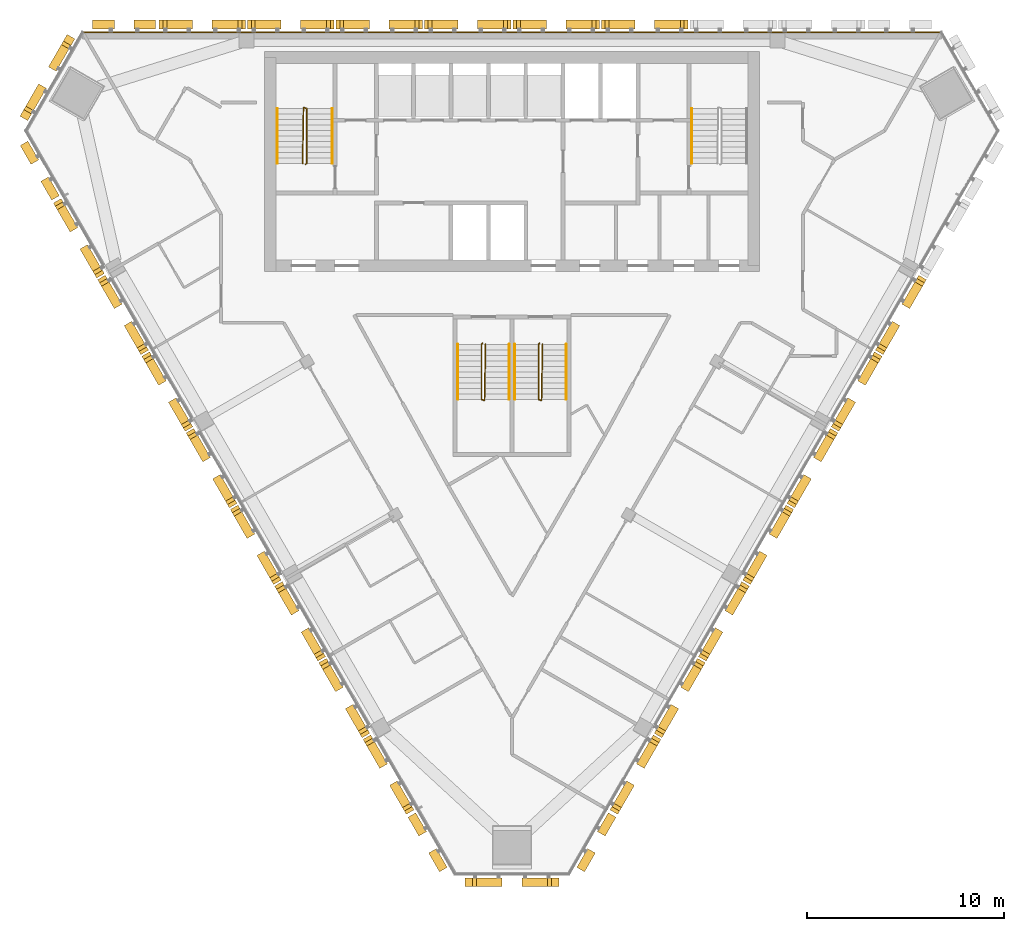
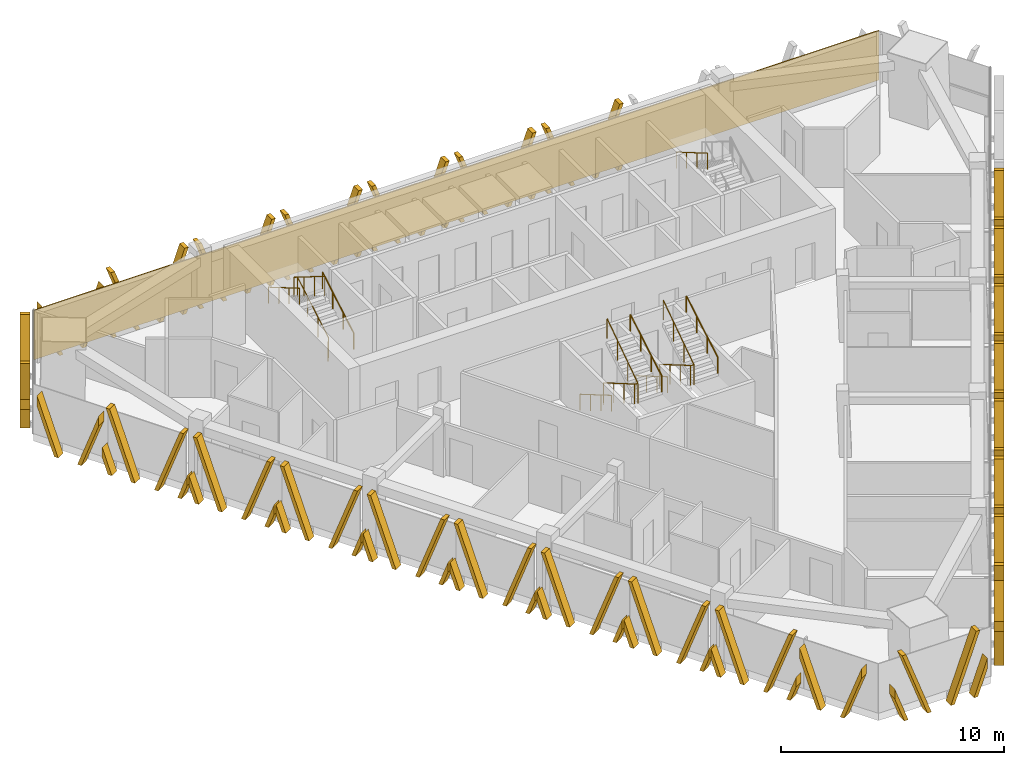
# One storey, part 12 of 14: 27 shading devices, 10 railings, 1 covering.
"""IFC4 building model written with IfcOpenShell, lengths in metres."""

from ifc_helpers import new_model, si_unit, direction, frame, frame_2d, origin, origin_2d, place, context, subcontext, project, spatial, polyline, rectangle, circle, outline, extrude, source, transform, mapped, material, layer, layer_set, type_object, element, save


model = new_model("IFC4")

# Units and contexts
model_context = context("Model", 3, precision=1e-05, world=origin(), true_north=direction((0.0, 1.0)))
body_context = subcontext(model_context, "Body", "Model", "MODEL_VIEW")
ifc_project = project(units=[si_unit("LENGTHUNIT", "METRE"), si_unit("AREAUNIT", "SQUARE_METRE"), si_unit("VOLUMEUNIT", "CUBIC_METRE"), si_unit("PLANEANGLEUNIT", "RADIAN"), si_unit("MASSUNIT", "GRAM", prefix="KILO")], contexts=[model_context])

# Site, building, storey
site_placement = place(None, origin())
site = spatial("IfcSite", under=ifc_project, at=site_placement, CompositionType="ELEMENT")
building_placement = place(site_placement, origin())
building = spatial("IfcBuilding", under=site, at=building_placement, Name="Altiplano Prism Tower", CompositionType="ELEMENT")
storey_placement = place(building_placement, frame((0.0, 0.0, 223.0)))
storey = spatial("IfcBuildingStorey", under=building, at=storey_placement, Name="L57", CompositionType="ELEMENT", Elevation=223.0)

# Railings
ifc_material_1 = material(Name="Steel S355", Category="steel")
railing_type_1 = type_object("IfcRailingType", Name="Stair guard 1100", PredefinedType="GUARDRAIL", material=ifc_material_1)
railing_1_placement = place(storey_placement, frame((74.5, 98.25, 0.0)))
element("IfcRailing", 1, at=railing_1_placement, inside=storey, type_object=railing_type_1, Name="L57 ST1 stair guard 1", PredefinedType="GUARDRAIL", context=body_context, shape_type="SweptSolid", body=[
    extrude(circle(Radius=0.02392578125, at=origin_2d()), frame((0.0, 0.0, 1.076171875), z_axis=(0.280808744504, 0.280808744504, 0.917765164963), x_axis=(-0.707106781187, 0.707106781187, 0.0)), (0.0, 0.0, 1.0), 0.17822265625),
    extrude(circle(Radius=0.02392578125, at=origin_2d()), frame((0.050048828125, 0.050048828125, 1.23974609375), z_axis=(0.0, 0.863360870873, 0.504586966384), x_axis=(-1.0, 0.0, 0.0)), (0.0, 0.0, 1.0), 3.2431640625),
    extrude(circle(Radius=0.02392578125, at=origin_2d()), frame((0.050048828125, 2.85009765625, 2.8759765625), z_axis=(-0.949145278916, 0.314838433982, 0.0), x_axis=(-0.314838433982, -0.949145278916, 0.0)), (0.0, 0.0, 1.0), 0.158203125),
    extrude(circle(Radius=0.02392578125, at=origin_2d()), frame((-0.10009765625, 2.89990234375, 2.8759765625), z_axis=(-0.01477401265, -0.845377694409, 0.533964682676), x_axis=(0.999847325713, -0.01747355902, 0.0)), (0.0, 0.0, 1.0), 3.37109375),
    extrude(circle(Radius=0.02099609375, at=origin_2d()), origin(), (0.0, 0.0, 1.0), 1.052001953125),
    extrude(circle(Radius=0.02099609375, at=origin_2d()), frame((0.050048828125, 0.050048828125, 0.16357421875)), (0.0, 0.0, 1.0), 1.052001953125),
    extrude(circle(Radius=0.02099609375, at=origin_2d()), frame((0.050048828125, 0.9833984375, 0.708984375)), (0.0, 0.0, 1.0), 1.052001953125),
    extrude(circle(Radius=0.02099609375, at=origin_2d()), frame((0.050048828125, 1.916748046875, 1.254638671875)), (0.0, 0.0, 1.0), 1.052001953125),
    extrude(circle(Radius=0.02099609375, at=origin_2d()), frame((0.050048828125, 2.85009765625, 1.800048828125)), (0.0, 0.0, 1.0), 1.052001953125),
    extrude(circle(Radius=0.02099609375, at=origin_2d()), frame((-0.10009765625, 2.89990234375, 1.800048828125)), (0.0, 0.0, 1.0), 1.052001953125),
    extrude(circle(Radius=0.02099609375, at=origin_2d()), frame((-0.11669921875, 1.949951171875, 2.400146484375)), (0.0, 0.0, 1.0), 1.052001953125),
    extrude(circle(Radius=0.02099609375, at=origin_2d()), frame((-0.13330078125, 1.0, 3.0)), (0.0, 0.0, 1.0), 1.052001953125),
    extrude(circle(Radius=0.02099609375, at=origin_2d()), frame((-0.14990234375, 0.050048828125, 3.60009765625)), (0.0, 0.0, 1.0), 1.052001953125),
])
railing_2_placement = place(storey_placement, frame((83.5, 89.14990234375, 0.0)))
element("IfcRailing", 2, at=railing_2_placement, inside=storey, type_object=railing_type_1, Name="L57 ST3A stair guard 1", PredefinedType="GUARDRAIL", context=body_context, shape_type="SweptSolid", body=[
    extrude(circle(Radius=0.02392578125, at=origin_2d()), frame((0.0, 0.0, 1.076171875), z_axis=(-0.280916556609, -0.279546231943, 0.91811752648), x_axis=(0.705375805398, -0.708833529934, 0.0)), (0.0, 0.0, 1.0), 0.17822265625),
    extrude(circle(Radius=0.02392578125, at=origin_2d()), frame((-0.050048828125, -0.0498046875, 1.23974609375), z_axis=(0.0, -0.863360870873, 0.504586966384), x_axis=(1.0, 0.0, 0.0)), (0.0, 0.0, 1.0), 3.2431640625),
    extrude(circle(Radius=0.02392578125, at=origin_2d()), frame((-0.050048828125, -2.849853515625, 2.8759765625), z_axis=(0.948683298051, -0.316227766017, 0.0), x_axis=(0.316227766017, 0.948683298051, 0.0)), (0.0, 0.0, 1.0), 0.158203125),
    extrude(circle(Radius=0.02392578125, at=origin_2d()), frame((0.10009765625, -2.89990234375, 2.8759765625), z_axis=(0.014773108175, 0.84539835705, 0.533931993021), x_axis=(-0.999847351862, 0.017472062685, 0.0)), (0.0, 0.0, 1.0), 3.371337890625),
    extrude(circle(Radius=0.02099609375, at=origin_2d()), origin(), (0.0, 0.0, 1.0), 1.052001953125),
    extrude(circle(Radius=0.02099609375, at=origin_2d()), frame((-0.050048828125, -0.0498046875, 0.16357421875)), (0.0, 0.0, 1.0), 1.052001953125),
    extrude(circle(Radius=0.02099609375, at=origin_2d()), frame((-0.050048828125, -0.983154296875, 0.708984375)), (0.0, 0.0, 1.0), 1.052001953125),
    extrude(circle(Radius=0.02099609375, at=origin_2d()), frame((-0.050048828125, -1.91650390625, 1.254638671875)), (0.0, 0.0, 1.0), 1.052001953125),
    extrude(circle(Radius=0.02099609375, at=origin_2d()), frame((-0.050048828125, -2.849853515625, 1.800048828125)), (0.0, 0.0, 1.0), 1.052001953125),
    extrude(circle(Radius=0.02099609375, at=origin_2d()), frame((0.10009765625, -2.89990234375, 1.800048828125)), (0.0, 0.0, 1.0), 1.052001953125),
    extrude(circle(Radius=0.02099609375, at=origin_2d()), frame((0.11669921875, -1.949951171875, 2.400146484375)), (0.0, 0.0, 1.0), 1.052001953125),
    extrude(circle(Radius=0.02099609375, at=origin_2d()), frame((0.13330078125, -0.999755859375, 3.0)), (0.0, 0.0, 1.0), 1.052001953125),
    extrude(circle(Radius=0.02099609375, at=origin_2d()), frame((0.14990234375, -0.0498046875, 3.60009765625)), (0.0, 0.0, 1.0), 1.052001953125),
])
railing_3_placement = place(storey_placement, frame((86.39990234375, 89.14990234375, 0.0)))
element("IfcRailing", 3, at=railing_3_placement, inside=storey, type_object=railing_type_1, Name="L57 ST3B stair guard 1", PredefinedType="GUARDRAIL", context=body_context, shape_type="SweptSolid", body=[
    extrude(circle(Radius=0.02392578125, at=origin_2d()), frame((0.0, 0.0, 1.076171875), z_axis=(-0.279653641804, -0.279653641804, 0.918470294159), x_axis=(0.707106781187, -0.707106781187, 0.0)), (0.0, 0.0, 1.0), 0.177978515625),
    extrude(circle(Radius=0.02392578125, at=origin_2d()), frame((-0.0498046875, -0.0498046875, 1.23974609375), z_axis=(0.0, -0.863360870873, 0.504586966384), x_axis=(1.0, 0.0, 0.0)), (0.0, 0.0, 1.0), 3.2431640625),
    extrude(circle(Radius=0.02392578125, at=origin_2d()), frame((-0.0498046875, -2.849853515625, 2.8759765625), z_axis=(0.948528701346, -0.316691178788, 0.0), x_axis=(0.316691178788, 0.948528701346, 0.0)), (0.0, 0.0, 1.0), 0.157958984375),
    extrude(circle(Radius=0.02392578125, at=origin_2d()), frame((0.10009765625, -2.89990234375, 2.8759765625), z_axis=(0.014845509451, 0.845397450405, 0.533931420407), x_axis=(-0.999845851991, 0.017557683712, 0.0)), (0.0, 0.0, 1.0), 3.371337890625),
    extrude(circle(Radius=0.02099609375, at=origin_2d()), origin(), (0.0, 0.0, 1.0), 1.052001953125),
    extrude(circle(Radius=0.02099609375, at=origin_2d()), frame((-0.0498046875, -0.0498046875, 0.16357421875)), (0.0, 0.0, 1.0), 1.052001953125),
    extrude(circle(Radius=0.02099609375, at=origin_2d()), frame((-0.0498046875, -0.983154296875, 0.708984375)), (0.0, 0.0, 1.0), 1.052001953125),
    extrude(circle(Radius=0.02099609375, at=origin_2d()), frame((-0.0498046875, -1.91650390625, 1.254638671875)), (0.0, 0.0, 1.0), 1.052001953125),
    extrude(circle(Radius=0.02099609375, at=origin_2d()), frame((-0.0498046875, -2.849853515625, 1.800048828125)), (0.0, 0.0, 1.0), 1.052001953125),
    extrude(circle(Radius=0.02099609375, at=origin_2d()), frame((0.10009765625, -2.89990234375, 1.800048828125)), (0.0, 0.0, 1.0), 1.052001953125),
    extrude(circle(Radius=0.02099609375, at=origin_2d()), frame((0.11669921875, -1.949951171875, 2.400146484375)), (0.0, 0.0, 1.0), 1.052001953125),
    extrude(circle(Radius=0.02099609375, at=origin_2d()), frame((0.133544921875, -0.999755859375, 3.0)), (0.0, 0.0, 1.0), 1.052001953125),
    extrude(circle(Radius=0.02099609375, at=origin_2d()), frame((0.150146484375, -0.0498046875, 3.60009765625)), (0.0, 0.0, 1.0), 1.052001953125),
])
railing_type_2 = type_object("IfcRailingType", Name="Stair handrail 900", PredefinedType="HANDRAIL", material=ifc_material_1)
railing_4_placement = place(storey_placement, frame((75.85009765625, 98.300048828125, 0.16357421875)))
element("IfcRailing", 4, at=railing_4_placement, inside=storey, type_object=railing_type_2, Name="L57 ST1 stair handrail 1", PredefinedType="HANDRAIL", context=body_context, shape_type="SweptSolid", body=[
    extrude(circle(Radius=0.02392578125, at=origin_2d()), frame((0.0, 0.0, 0.8759765625), z_axis=(0.0, 0.863360870873, 0.504586966384), x_axis=(-1.0, 0.0, 0.0)), (0.0, 0.0, 1.0), 3.2431640625),
    extrude(circle(Radius=0.02099609375, at=origin_2d()), origin(), (0.0, 0.0, 1.0), 0.851806640625),
    extrude(circle(Radius=0.02099609375, at=origin_2d()), frame((0.0, 0.933349609375, 0.54541015625)), (0.0, 0.0, 1.0), 0.851806640625),
    extrude(circle(Radius=0.02099609375, at=origin_2d()), frame((0.0, 1.86669921875, 1.091064453125)), (0.0, 0.0, 1.0), 0.851806640625),
    extrude(circle(Radius=0.02099609375, at=origin_2d()), frame((0.0, 2.800048828125, 1.636474609375)), (0.0, 0.0, 1.0), 0.851806640625),
])
for number, where, name in (
    (5, (73.050048828125, 101.10009765625, 1.963623046875), "L57 ST1 stair handrail 2"),
    (6, (94.14990234375, 101.10009765625, 1.963623046875), "L57 ST2 stair handrail 2"),
    (7, (82.25, 89.10009765625, 0.16357421875), "L57 ST3A stair handrail 1"),
):
    element("IfcRailing", number, at=place(storey_placement, frame(where)), inside=storey, type_object=railing_type_2, Name=name, PredefinedType="HANDRAIL", context=body_context, shape_type="SweptSolid", body=[
        extrude(circle(Radius=0.02392578125, at=origin_2d()), frame((0.0, 0.0, 0.8759765625), z_axis=(0.0, -0.863360870873, 0.504586966384), x_axis=(1.0, 0.0, 0.0)), (0.0, 0.0, 1.0), 3.2431640625),
        extrude(circle(Radius=0.02099609375, at=origin_2d()), origin(), (0.0, 0.0, 1.0), 0.851806640625),
        extrude(circle(Radius=0.02099609375, at=origin_2d()), frame((0.0, -0.933349609375, 0.54541015625)), (0.0, 0.0, 1.0), 0.851806640625),
        extrude(circle(Radius=0.02099609375, at=origin_2d()), frame((0.0, -1.86669921875, 1.091064453125)), (0.0, 0.0, 1.0), 0.851806640625),
        extrude(circle(Radius=0.02099609375, at=origin_2d()), frame((0.0, -2.800048828125, 1.636474609375)), (0.0, 0.0, 1.0), 0.851806640625),
    ])
railing_5_placement = place(storey_placement, frame((84.85009765625, 86.300048828125, 1.963623046875)))
element("IfcRailing", 8, at=railing_5_placement, inside=storey, type_object=railing_type_2, Name="L57 ST3A stair handrail 2", PredefinedType="HANDRAIL", context=body_context, shape_type="SweptSolid", body=[
    extrude(circle(Radius=0.02392578125, at=origin_2d()), frame((0.0, 0.0, 0.8759765625), z_axis=(0.0, 0.863360870873, 0.504586966384), x_axis=(-1.0, 0.0, 0.0)), (0.0, 0.0, 1.0), 3.2431640625),
    extrude(circle(Radius=0.02099609375, at=origin_2d()), origin(), (0.0, 0.0, 1.0), 0.851806640625),
    extrude(circle(Radius=0.02099609375, at=origin_2d()), frame((0.0, 0.933349609375, 0.54541015625)), (0.0, 0.0, 1.0), 0.851806640625),
    extrude(circle(Radius=0.02099609375, at=origin_2d()), frame((0.0, 1.86669921875, 1.091064453125)), (0.0, 0.0, 1.0), 0.851806640625),
    extrude(circle(Radius=0.02099609375, at=origin_2d()), frame((0.0, 2.800048828125, 1.636474609375)), (0.0, 0.0, 1.0), 0.851806640625),
])
railing_6_placement = place(storey_placement, frame((85.14990234375, 89.10009765625, 0.16357421875)))
element("IfcRailing", 9, at=railing_6_placement, inside=storey, type_object=railing_type_2, Name="L57 ST3B stair handrail 1", PredefinedType="HANDRAIL", context=body_context, shape_type="SweptSolid", body=[
    extrude(circle(Radius=0.02392578125, at=origin_2d()), frame((0.0, 0.0, 0.8759765625), z_axis=(0.0, -0.863360870873, 0.504586966384), x_axis=(1.0, 0.0, 0.0)), (0.0, 0.0, 1.0), 3.2431640625),
    extrude(circle(Radius=0.02099609375, at=origin_2d()), origin(), (0.0, 0.0, 1.0), 0.851806640625),
    extrude(circle(Radius=0.02099609375, at=origin_2d()), frame((0.0, -0.933349609375, 0.54541015625)), (0.0, 0.0, 1.0), 0.851806640625),
    extrude(circle(Radius=0.02099609375, at=origin_2d()), frame((0.0, -1.86669921875, 1.091064453125)), (0.0, 0.0, 1.0), 0.851806640625),
    extrude(circle(Radius=0.02099609375, at=origin_2d()), frame((0.0, -2.800048828125, 1.636474609375)), (0.0, 0.0, 1.0), 0.851806640625),
])
railing_7_placement = place(storey_placement, frame((87.75, 86.300048828125, 1.963623046875)))
element("IfcRailing", 10, at=railing_7_placement, inside=storey, type_object=railing_type_2, Name="L57 ST3B stair handrail 2", PredefinedType="HANDRAIL", context=body_context, shape_type="SweptSolid", body=[
    extrude(circle(Radius=0.02392578125, at=origin_2d()), frame((0.0, 0.0, 0.8759765625), z_axis=(0.0, 0.863360870873, 0.504586966384), x_axis=(-1.0, 0.0, 0.0)), (0.0, 0.0, 1.0), 3.2431640625),
    extrude(circle(Radius=0.02099609375, at=origin_2d()), origin(), (0.0, 0.0, 1.0), 0.851806640625),
    extrude(circle(Radius=0.02099609375, at=origin_2d()), frame((0.0, 0.933349609375, 0.54541015625)), (0.0, 0.0, 1.0), 0.851806640625),
    extrude(circle(Radius=0.02099609375, at=origin_2d()), frame((0.0, 1.86669921875, 1.091064453125)), (0.0, 0.0, 1.0), 0.851806640625),
    extrude(circle(Radius=0.02099609375, at=origin_2d()), frame((0.0, 2.800048828125, 1.636474609375)), (0.0, 0.0, 1.0), 0.851806640625),
])

# Covering
ifc_material_2 = material(Name="Warm limestone cast stone", Category="masonry")
ifc_layer = layer(ifc_material_2, 0.06005859375)
ifc_layer_set = layer_set([ifc_layer], Name="Warm limestone cast stone")
covering_type = type_object("IfcCoveringType", Name="Stone cladding 60", PredefinedType="CLADDING", material=ifc_layer_set)
covering_placement = place(storey_placement, frame((63.146240234375, 104.969970703125, 0.0), z_axis=(0.0, 0.0, 1.0), x_axis=(1.0, 0.0, 0.0)))
element("IfcCovering", 11, at=covering_placement, inside=storey, type_object=covering_type, Name="Stone cladding north face L57", PredefinedType="CLADDING", context=body_context, shape_type="SweptSolid", body=[
    extrude(rectangle(XDim=43.70751953125, YDim=0.06005859375, at=frame_2d((21.853759765625, 0.0))), origin(), (0.0, 0.0, 1.0), 2.699951171875),
])

# Shading devices
shading_device_type_1 = type_object("IfcShadingDeviceType", Name="Stone fin panel, narrow closing bay", PredefinedType="USERDEFINED", material=ifc_material_2)
shared_shape_1 = source(origin(), body_context, "Body", "SweptSolid", [
    extrude(outline(polyline([(-1.60009765625, 3.022216796875), (-1.60009765625, 2.47265625), (-0.699951171875, 0.0), (-0.5, 0.0), (-1.60009765625, 3.022216796875)])), frame((0.0, -0.14990234375, 0.0), z_axis=(0.0, -1.0, 0.0), x_axis=(1.0, 0.0, 0.0)), (0.0, 0.0, 1.0), 0.4501953125),
    extrude(outline(polyline([(1.60009765625, 2.47265625), (1.60009765625, 3.022216796875), (0.5, 0.0), (0.699951171875, 0.0), (1.60009765625, 2.47265625)])), frame((0.0, -0.14990234375, 0.0), z_axis=(0.0, -1.0, 0.0), x_axis=(1.0, 0.0, 0.0)), (0.0, 0.0, 1.0), 0.4501953125),
])
shading_device_1_placement = place(storey_placement, origin())
element("IfcShadingDevice", 12, at=shading_device_1_placement, inside=storey, type_object=shading_device_type_1, Name="Fin L57 north face 10", ObjectType="FIN", PredefinedType="USERDEFINED", context=body_context, shape_type="MappedRepresentation", body=[
    mapped(shared_shape_1, transform((65.273193359375, 105.0, -0.39990234375), x_axis=(-1.0, 0.0, 0.0), y_axis=(0.0, -1.0, 0.0), z_axis=(0.0, 0.0, 1.0))),
])
shading_device_2_placement = place(storey_placement, origin())
element("IfcShadingDevice", 13, at=shading_device_2_placement, inside=storey, type_object=shading_device_type_1, Name="Fin L57 south-west face 1", ObjectType="FIN", PredefinedType="USERDEFINED", context=body_context, shape_type="MappedRepresentation", body=[
    mapped(shared_shape_1, transform((61.304931640625, 98.126953125, -0.39990234375), x_axis=(0.499999991742, -0.866025408552, 0.0), y_axis=(0.866025408552, 0.499999991742, 0.0), z_axis=(0.0, 0.0, 1.0))),
])
shading_device_3_placement = place(storey_placement, origin())
element("IfcShadingDevice", 14, at=shading_device_3_placement, inside=storey, type_object=shading_device_type_1, Name="Fin L57 south-west face 10", ObjectType="FIN", PredefinedType="USERDEFINED", context=body_context, shape_type="MappedRepresentation", body=[
    mapped(shared_shape_1, transform((81.031982421875, 63.959228515625, -0.39990234375), x_axis=(0.499999991742, -0.866025408552, 0.0), y_axis=(0.866025408552, 0.499999991742, 0.0), z_axis=(0.0, 0.0, 1.0))),
])
shading_device_4_placement = place(storey_placement, origin())
element("IfcShadingDevice", 15, at=shading_device_4_placement, inside=storey, type_object=shading_device_type_1, Name="Fin L57 south-east face 1", ObjectType="FIN", PredefinedType="USERDEFINED", context=body_context, shape_type="MappedRepresentation", body=[
    mapped(shared_shape_1, transform((88.968017578125, 63.959228515625, -0.39990234375), x_axis=(0.499999991742, 0.866025408552, 0.0), y_axis=(-0.866025408552, 0.499999991742, 0.0), z_axis=(0.0, 0.0, 1.0))),
])
shading_device_type_2 = type_object("IfcShadingDeviceType", Name="Stone fin panel, standard unit", PredefinedType="USERDEFINED", material=ifc_material_2)
shared_shape_2 = source(origin(), body_context, "Body", "SweptSolid", [
    extrude(outline(polyline([(-2.199951171875, 1.373779296875), (-2.199951171875, 0.82421875), (-1.89990234375, 0.0), (-1.699951171875, 0.0), (-2.199951171875, 1.373779296875)])), frame((0.0, -0.14990234375, 0.0), z_axis=(0.0, -1.0, 0.0), x_axis=(1.0, 0.0, 0.0)), (0.0, 0.0, 1.0), 0.4501953125),
    extrude(outline(polyline([(-2.01025390625, 3.60009765625), (-0.699951171875, 0.0), (-0.5, 0.0), (-1.810302734375, 3.60009765625), (-2.01025390625, 3.60009765625)])), frame((0.0, -0.14990234375, 0.0), z_axis=(0.0, -1.0, 0.0), x_axis=(1.0, 0.0, 0.0)), (0.0, 0.0, 1.0), 0.4501953125),
    extrude(outline(polyline([(1.810302734375, 3.60009765625), (0.5, 0.0), (0.699951171875, 0.0), (2.01025390625, 3.60009765625), (1.810302734375, 3.60009765625)])), frame((0.0, -0.14990234375, 0.0), z_axis=(0.0, -1.0, 0.0), x_axis=(1.0, 0.0, 0.0)), (0.0, 0.0, 1.0), 0.4501953125),
    extrude(outline(polyline([(2.199951171875, 0.82421875), (2.199951171875, 1.373779296875), (1.699951171875, 0.0), (1.89990234375, 0.0), (2.199951171875, 0.82421875)])), frame((0.0, -0.14990234375, 0.0), z_axis=(0.0, -1.0, 0.0), x_axis=(1.0, 0.0, 0.0)), (0.0, 0.0, 1.0), 0.4501953125),
])
shading_device_5_placement = place(storey_placement, origin())
element("IfcShadingDevice", 16, at=shading_device_5_placement, inside=storey, type_object=shading_device_type_2, Name="Fin L57 north face 4", ObjectType="FIN", PredefinedType="USERDEFINED", context=body_context, shape_type="MappedRepresentation", body=[
    mapped(shared_shape_2, transform((91.75, 105.0, -0.39990234375), x_axis=(-1.0, 0.0, 0.0), y_axis=(0.0, -1.0, 0.0), z_axis=(0.0, 0.0, 1.0))),
])
shading_device_6_placement = place(storey_placement, origin())
element("IfcShadingDevice", 17, at=shading_device_6_placement, inside=storey, type_object=shading_device_type_2, Name="Fin L57 north face 5", ObjectType="FIN", PredefinedType="USERDEFINED", context=body_context, shape_type="MappedRepresentation", body=[
    mapped(shared_shape_2, transform((87.25, 105.0, -0.39990234375), x_axis=(-1.0, 0.0, 0.0), y_axis=(0.0, -1.0, 0.0), z_axis=(0.0, 0.0, 1.0))),
])
shading_device_7_placement = place(storey_placement, origin())
element("IfcShadingDevice", 18, at=shading_device_7_placement, inside=storey, type_object=shading_device_type_2, Name="Fin L57 north face 6", ObjectType="FIN", PredefinedType="USERDEFINED", context=body_context, shape_type="MappedRepresentation", body=[
    mapped(shared_shape_2, transform((82.75, 105.0, -0.39990234375), x_axis=(-1.0, 0.0, 0.0), y_axis=(0.0, -1.0, 0.0), z_axis=(0.0, 0.0, 1.0))),
])
shading_device_8_placement = place(storey_placement, origin())
element("IfcShadingDevice", 19, at=shading_device_8_placement, inside=storey, type_object=shading_device_type_2, Name="Fin L57 north face 7", ObjectType="FIN", PredefinedType="USERDEFINED", context=body_context, shape_type="MappedRepresentation", body=[
    mapped(shared_shape_2, transform((78.25, 105.0, -0.39990234375), x_axis=(-1.0, 0.0, 0.0), y_axis=(0.0, -1.0, 0.0), z_axis=(0.0, 0.0, 1.0))),
])
shading_device_9_placement = place(storey_placement, origin())
element("IfcShadingDevice", 20, at=shading_device_9_placement, inside=storey, type_object=shading_device_type_2, Name="Fin L57 north face 8", ObjectType="FIN", PredefinedType="USERDEFINED", context=body_context, shape_type="MappedRepresentation", body=[
    mapped(shared_shape_2, transform((73.75, 105.0, -0.39990234375), x_axis=(-1.0, 0.0, 0.0), y_axis=(0.0, -1.0, 0.0), z_axis=(0.0, 0.0, 1.0))),
])
shading_device_10_placement = place(storey_placement, origin())
element("IfcShadingDevice", 21, at=shading_device_10_placement, inside=storey, type_object=shading_device_type_2, Name="Fin L57 north face 9", ObjectType="FIN", PredefinedType="USERDEFINED", context=body_context, shape_type="MappedRepresentation", body=[
    mapped(shared_shape_2, transform((69.25, 105.0, -0.39990234375), x_axis=(-1.0, 0.0, 0.0), y_axis=(0.0, -1.0, 0.0), z_axis=(0.0, 0.0, 1.0))),
])
shading_device_11_placement = place(storey_placement, origin())
element("IfcShadingDevice", 22, at=shading_device_11_placement, inside=storey, type_object=shading_device_type_2, Name="Fin L57 south-west face 2", ObjectType="FIN", PredefinedType="USERDEFINED", context=body_context, shape_type="MappedRepresentation", body=[
    mapped(shared_shape_2, transform((63.29345703125, 94.682861328125, -0.39990234375), x_axis=(0.499999991742, -0.866025408552, 0.0), y_axis=(0.866025408552, 0.499999991742, 0.0), z_axis=(0.0, 0.0, 1.0))),
])
shading_device_12_placement = place(storey_placement, origin())
element("IfcShadingDevice", 23, at=shading_device_12_placement, inside=storey, type_object=shading_device_type_2, Name="Fin L57 south-west face 3", ObjectType="FIN", PredefinedType="USERDEFINED", context=body_context, shape_type="MappedRepresentation", body=[
    mapped(shared_shape_2, transform((65.54345703125, 90.785888671875, -0.39990234375), x_axis=(0.499999991742, -0.866025408552, 0.0), y_axis=(0.866025408552, 0.499999991742, 0.0), z_axis=(0.0, 0.0, 1.0))),
])
shading_device_13_placement = place(storey_placement, origin())
element("IfcShadingDevice", 24, at=shading_device_13_placement, inside=storey, type_object=shading_device_type_2, Name="Fin L57 south-west face 4", ObjectType="FIN", PredefinedType="USERDEFINED", context=body_context, shape_type="MappedRepresentation", body=[
    mapped(shared_shape_2, transform((67.79345703125, 86.888671875, -0.39990234375), x_axis=(0.499999991742, -0.866025408552, 0.0), y_axis=(0.866025408552, 0.499999991742, 0.0), z_axis=(0.0, 0.0, 1.0))),
])
shading_device_14_placement = place(storey_placement, origin())
element("IfcShadingDevice", 25, at=shading_device_14_placement, inside=storey, type_object=shading_device_type_2, Name="Fin L57 south-west face 5", ObjectType="FIN", PredefinedType="USERDEFINED", context=body_context, shape_type="MappedRepresentation", body=[
    mapped(shared_shape_2, transform((70.04345703125, 82.99169921875, -0.39990234375), x_axis=(0.499999991742, -0.866025408552, 0.0), y_axis=(0.866025408552, 0.499999991742, 0.0), z_axis=(0.0, 0.0, 1.0))),
])
shading_device_15_placement = place(storey_placement, origin())
element("IfcShadingDevice", 26, at=shading_device_15_placement, inside=storey, type_object=shading_device_type_2, Name="Fin L57 south-west face 6", ObjectType="FIN", PredefinedType="USERDEFINED", context=body_context, shape_type="MappedRepresentation", body=[
    mapped(shared_shape_2, transform((72.29345703125, 79.094482421875, -0.39990234375), x_axis=(0.499999991742, -0.866025408552, 0.0), y_axis=(0.866025408552, 0.499999991742, 0.0), z_axis=(0.0, 0.0, 1.0))),
])
shading_device_16_placement = place(storey_placement, origin())
element("IfcShadingDevice", 27, at=shading_device_16_placement, inside=storey, type_object=shading_device_type_2, Name="Fin L57 south-west face 7", ObjectType="FIN", PredefinedType="USERDEFINED", context=body_context, shape_type="MappedRepresentation", body=[
    mapped(shared_shape_2, transform((74.54345703125, 75.197509765625, -0.39990234375), x_axis=(0.499999991742, -0.866025408552, 0.0), y_axis=(0.866025408552, 0.499999991742, 0.0), z_axis=(0.0, 0.0, 1.0))),
])
shading_device_17_placement = place(storey_placement, origin())
element("IfcShadingDevice", 28, at=shading_device_17_placement, inside=storey, type_object=shading_device_type_2, Name="Fin L57 south-west face 8", ObjectType="FIN", PredefinedType="USERDEFINED", context=body_context, shape_type="MappedRepresentation", body=[
    mapped(shared_shape_2, transform((76.79345703125, 71.30029296875, -0.39990234375), x_axis=(0.499999991742, -0.866025408552, 0.0), y_axis=(0.866025408552, 0.499999991742, 0.0), z_axis=(0.0, 0.0, 1.0))),
])
shading_device_18_placement = place(storey_placement, origin())
element("IfcShadingDevice", 29, at=shading_device_18_placement, inside=storey, type_object=shading_device_type_2, Name="Fin L57 south-west face 9", ObjectType="FIN", PredefinedType="USERDEFINED", context=body_context, shape_type="MappedRepresentation", body=[
    mapped(shared_shape_2, transform((79.04345703125, 67.403076171875, -0.39990234375), x_axis=(0.499999991742, -0.866025408552, 0.0), y_axis=(0.866025408552, 0.499999991742, 0.0), z_axis=(0.0, 0.0, 1.0))),
])
shading_device_19_placement = place(storey_placement, origin())
element("IfcShadingDevice", 30, at=shading_device_19_placement, inside=storey, type_object=shading_device_type_2, Name="Fin L57 south-east face 2", ObjectType="FIN", PredefinedType="USERDEFINED", context=body_context, shape_type="MappedRepresentation", body=[
    mapped(shared_shape_2, transform((90.95654296875, 67.403076171875, -0.39990234375), x_axis=(0.499999991742, 0.866025408552, 0.0), y_axis=(-0.866025408552, 0.499999991742, 0.0), z_axis=(0.0, 0.0, 1.0))),
])
shading_device_20_placement = place(storey_placement, origin())
element("IfcShadingDevice", 31, at=shading_device_20_placement, inside=storey, type_object=shading_device_type_2, Name="Fin L57 south-east face 3", ObjectType="FIN", PredefinedType="USERDEFINED", context=body_context, shape_type="MappedRepresentation", body=[
    mapped(shared_shape_2, transform((93.20654296875, 71.30029296875, -0.39990234375), x_axis=(0.499999991742, 0.866025408552, 0.0), y_axis=(-0.866025408552, 0.499999991742, 0.0), z_axis=(0.0, 0.0, 1.0))),
])
shading_device_21_placement = place(storey_placement, origin())
element("IfcShadingDevice", 32, at=shading_device_21_placement, inside=storey, type_object=shading_device_type_2, Name="Fin L57 south-east face 4", ObjectType="FIN", PredefinedType="USERDEFINED", context=body_context, shape_type="MappedRepresentation", body=[
    mapped(shared_shape_2, transform((95.45654296875, 75.197509765625, -0.39990234375), x_axis=(0.499999991742, 0.866025408552, 0.0), y_axis=(-0.866025408552, 0.499999991742, 0.0), z_axis=(0.0, 0.0, 1.0))),
])
shading_device_22_placement = place(storey_placement, origin())
element("IfcShadingDevice", 33, at=shading_device_22_placement, inside=storey, type_object=shading_device_type_2, Name="Fin L57 south-east face 5", ObjectType="FIN", PredefinedType="USERDEFINED", context=body_context, shape_type="MappedRepresentation", body=[
    mapped(shared_shape_2, transform((97.70654296875, 79.094482421875, -0.39990234375), x_axis=(0.499999991742, 0.866025408552, 0.0), y_axis=(-0.866025408552, 0.499999991742, 0.0), z_axis=(0.0, 0.0, 1.0))),
])
shading_device_23_placement = place(storey_placement, origin())
element("IfcShadingDevice", 34, at=shading_device_23_placement, inside=storey, type_object=shading_device_type_2, Name="Fin L57 south-east face 6", ObjectType="FIN", PredefinedType="USERDEFINED", context=body_context, shape_type="MappedRepresentation", body=[
    mapped(shared_shape_2, transform((99.95654296875, 82.99169921875, -0.39990234375), x_axis=(0.499999991742, 0.866025408552, 0.0), y_axis=(-0.866025408552, 0.499999991742, 0.0), z_axis=(0.0, 0.0, 1.0))),
])
shading_device_24_placement = place(storey_placement, origin())
element("IfcShadingDevice", 35, at=shading_device_24_placement, inside=storey, type_object=shading_device_type_2, Name="Fin L57 south-east face 7", ObjectType="FIN", PredefinedType="USERDEFINED", context=body_context, shape_type="MappedRepresentation", body=[
    mapped(shared_shape_2, transform((102.20654296875, 86.888671875, -0.39990234375), x_axis=(0.499999991742, 0.866025408552, 0.0), y_axis=(-0.866025408552, 0.499999991742, 0.0), z_axis=(0.0, 0.0, 1.0))),
])
shading_device_25_placement = place(storey_placement, origin())
element("IfcShadingDevice", 36, at=shading_device_25_placement, inside=storey, type_object=shading_device_type_2, Name="Fin L57 south-east face 8", ObjectType="FIN", PredefinedType="USERDEFINED", context=body_context, shape_type="MappedRepresentation", body=[
    mapped(shared_shape_2, transform((104.45654296875, 90.785888671875, -0.39990234375), x_axis=(0.499999991742, 0.866025408552, 0.0), y_axis=(-0.866025408552, 0.499999991742, 0.0), z_axis=(0.0, 0.0, 1.0))),
])
shading_device_type_3 = type_object("IfcShadingDeviceType", Name="Stone fin panel, chamfer unit", PredefinedType="USERDEFINED", material=ifc_material_2)
shared_shape_3 = source(origin(), body_context, "Body", "SweptSolid", [
    extrude(outline(polyline([(-2.39990234375, 1.923095703125), (-2.39990234375, 1.373779296875), (-1.89990234375, 0.0), (-1.699951171875, 0.0), (-2.39990234375, 1.923095703125)])), frame((0.0, -0.14990234375, 0.0), z_axis=(0.0, -1.0, 0.0), x_axis=(1.0, 0.0, 0.0)), (0.0, 0.0, 1.0), 0.4501953125),
    extrude(outline(polyline([(-2.01025390625, 3.60009765625), (-0.699951171875, 0.0), (-0.5, 0.0), (-1.810302734375, 3.60009765625), (-2.01025390625, 3.60009765625)])), frame((0.0, -0.14990234375, 0.0), z_axis=(0.0, -1.0, 0.0), x_axis=(1.0, 0.0, 0.0)), (0.0, 0.0, 1.0), 0.4501953125),
    extrude(outline(polyline([(1.810302734375, 3.60009765625), (0.5, 0.0), (0.699951171875, 0.0), (2.01025390625, 3.60009765625), (1.810302734375, 3.60009765625)])), frame((0.0, -0.14990234375, 0.0), z_axis=(0.0, -1.0, 0.0), x_axis=(1.0, 0.0, 0.0)), (0.0, 0.0, 1.0), 0.4501953125),
    extrude(outline(polyline([(2.39990234375, 1.373779296875), (2.39990234375, 1.923095703125), (1.699951171875, 0.0), (1.89990234375, 0.0), (2.39990234375, 1.373779296875)])), frame((0.0, -0.14990234375, 0.0), z_axis=(0.0, -1.0, 0.0), x_axis=(1.0, 0.0, 0.0)), (0.0, 0.0, 1.0), 0.4501953125),
])
shading_device_26_placement = place(storey_placement, origin())
element("IfcShadingDevice", 37, at=shading_device_26_placement, inside=storey, type_object=shading_device_type_3, Name="Fin L57 north-west chamfer 1", ObjectType="FIN", PredefinedType="USERDEFINED", context=body_context, shape_type="MappedRepresentation", body=[
    mapped(shared_shape_3, transform((61.694091796875, 102.484375, -0.39990234375), x_axis=(-0.500000067794, -0.866025364643, 0.0), y_axis=(0.866025364643, -0.500000067794, 0.0), z_axis=(0.0, 0.0, 1.0))),
])
shading_device_27_placement = place(storey_placement, origin())
element("IfcShadingDevice", 38, at=shading_device_27_placement, inside=storey, type_object=shading_device_type_3, Name="Fin L57 south chamfer 1", ObjectType="FIN", PredefinedType="USERDEFINED", context=body_context, shape_type="MappedRepresentation", body=[
    mapped(shared_shape_3, transform((85.0, 62.1171875, -0.39990234375), x_axis=(1.0, 0.0, 0.0), y_axis=(0.0, 1.0, 0.0), z_axis=(0.0, 0.0, 1.0))),
])

save(model, "model.ifc")
